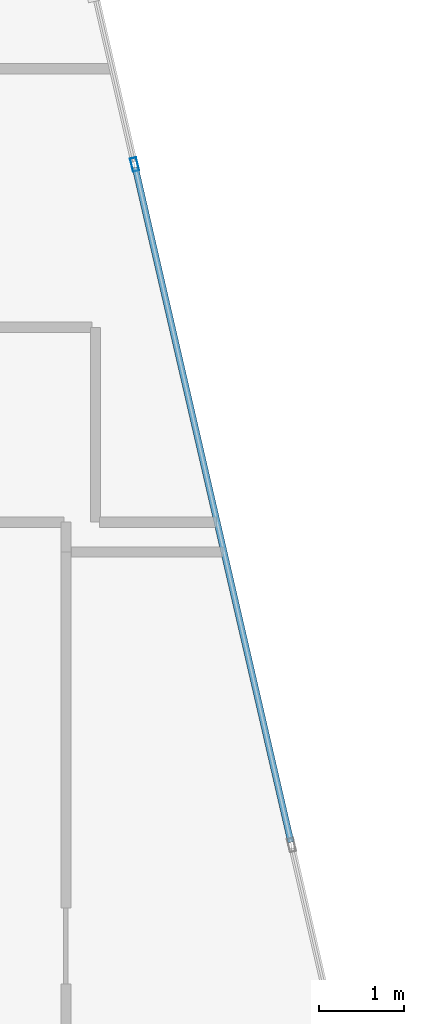
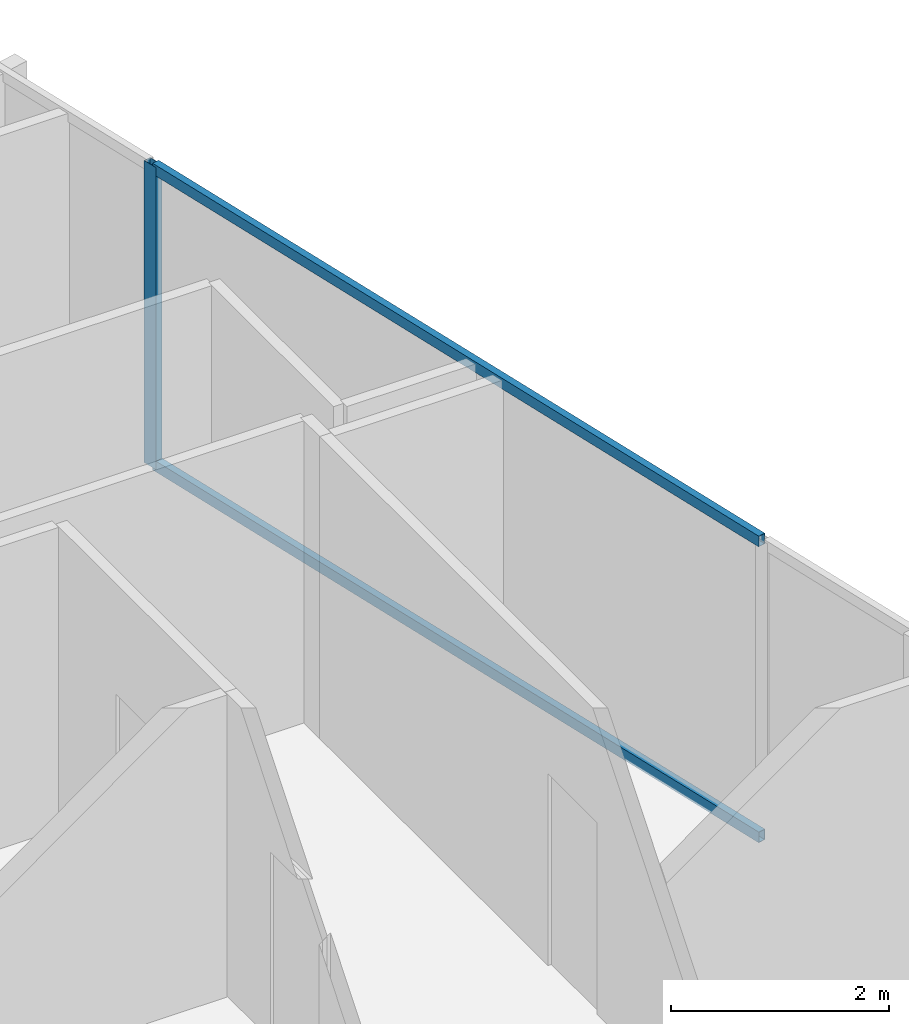
# One storey, part 20 of 30: 3 members, 1 element without a shape of its own.
"""IFC4 building model written with IfcOpenShell, lengths in metres."""

from ifc_helpers import new_model, si_unit, direction, frame, origin, origin_2d, place, context, subcontext, project, spatial, hollow_rectangle, extrude, material, layer, layer_set, material_profile, profile_set, type_object, element, aggregate, save


model = new_model("IFC4")

# Units and contexts
model_context = context("Model", 3, precision=1e-05, world=origin(), true_north=direction((0.0, 1.0)))
body_context = subcontext(model_context, "Body", "Model", "MODEL_VIEW")
ifc_project = project(units=[si_unit("LENGTHUNIT", "METRE"), si_unit("AREAUNIT", "SQUARE_METRE"), si_unit("VOLUMEUNIT", "CUBIC_METRE"), si_unit("PLANEANGLEUNIT", "RADIAN"), si_unit("MASSUNIT", "GRAM", prefix="KILO")], contexts=[model_context])

# Site, building, storey
site_placement = place(None, origin())
site = spatial("IfcSite", under=ifc_project, at=site_placement, CompositionType="ELEMENT")
building_placement = place(site_placement, origin())
building = spatial("IfcBuilding", under=site, at=building_placement, Name="Keshet Zoharim Tower", CompositionType="ELEMENT")
storey_placement = place(building_placement, frame((0.0, 0.0, 280.60009765625)))
storey = spatial("IfcBuildingStorey", under=building, at=storey_placement, Name="L70", CompositionType="ELEMENT", Elevation=280.60009765625)

# Curtain wall, members
ifc_material = material(Name="Aluminium 6063-T6", Category="aluminium")
ifc_layer = layer(ifc_material, 0.260009765625)
ifc_layer_set = layer_set([ifc_layer], Name="Aluminium 6063-T6")
curtain_wall_type = type_object("IfcCurtainWallType", Name="CW-SYS-06", PredefinedType="NOTDEFINED", material=ifc_layer_set)
curtain_wall_placement = place(storey_placement, origin())
curtain_wall = element("IfcCurtainWall", 1, at=curtain_wall_placement, inside=storey, type_object=curtain_wall_type, Name="L70 Unitised Curtain Wall 09", PredefinedType="NOTDEFINED")
ifc_material_profile_1 = material_profile(ifc_material, hollow_rectangle(XDim=0.074951171875, YDim=0.159912109375, WallThickness=0.00390625, at=origin_2d()), Name="MUL-75x160")
ifc_profile_set_1 = profile_set([ifc_material_profile_1], Name="Aluminium 6063-T6")
member_type_1 = type_object("IfcMemberType", Name="CWM-M15", PredefinedType="MULLION", material=ifc_profile_set_1)
member_1_placement = place(storey_placement, frame((41.210693359375, 44.320556640625, 0.0), z_axis=(0.0, 0.0, 1.0), x_axis=(0.974398012932, 0.224829963294, 0.0)))
member_1 = element("IfcMember", 2, at=member_1_placement, type_object=member_type_1, Name="CW-06 mullion 2", PredefinedType="MULLION", context=body_context, shape_type="SweptSolid", body=[
    extrude(hollow_rectangle(XDim=0.074951171875, YDim=0.159912109375, WallThickness=0.00390625, at=origin_2d()), origin(), (0.0, 0.0, 1.0), 3.389892578125),
])
ifc_material_profile_2 = material_profile(ifc_material, hollow_rectangle(XDim=0.074951171875, YDim=0.1201171875, WallThickness=0.00390625, at=origin_2d()), Name="TRN-75x120")
ifc_profile_set_2 = profile_set([ifc_material_profile_2], Name="Aluminium 6063-T6")
member_type_2 = type_object("IfcMemberType", Name="CWT-T12", PredefinedType="USERDEFINED", material=ifc_profile_set_2)
member_2_placement = place(storey_placement, frame((41.218505859375, 44.28662109375, 0.034912109375), z_axis=(0.224826771459, -0.974398749402, 0.0), x_axis=(0.974398749402, 0.224826771459, 0.0)))
member_2 = element("IfcMember", 3, at=member_2_placement, type_object=member_type_2, Name="CW-06 transom 2.1", ObjectType="TRANSOM", PredefinedType="USERDEFINED", context=body_context, shape_type="SweptSolid", body=[
    extrude(hollow_rectangle(XDim=0.074951171875, YDim=0.1201171875, WallThickness=0.00390625, at=origin_2d()), origin(), (0.0, 0.0, 1.0), 8.17041015625),
])
member_3_placement = place(storey_placement, frame((41.218505859375, 44.28662109375, 3.35498046875), z_axis=(0.224826771459, -0.974398749402, 0.0), x_axis=(0.974398749402, 0.224826771459, 0.0)))
member_3 = element("IfcMember", 4, at=member_3_placement, type_object=member_type_2, Name="CW-06 transom 2.2", ObjectType="TRANSOM", PredefinedType="USERDEFINED", context=body_context, shape_type="SweptSolid", body=[
    extrude(hollow_rectangle(XDim=0.074951171875, YDim=0.1201171875, WallThickness=0.00390625, at=origin_2d()), origin(), (0.0, 0.0, 1.0), 8.17041015625),
])
aggregate(curtain_wall, [member_1, member_2, member_3])

save(model, "model.ifc")
